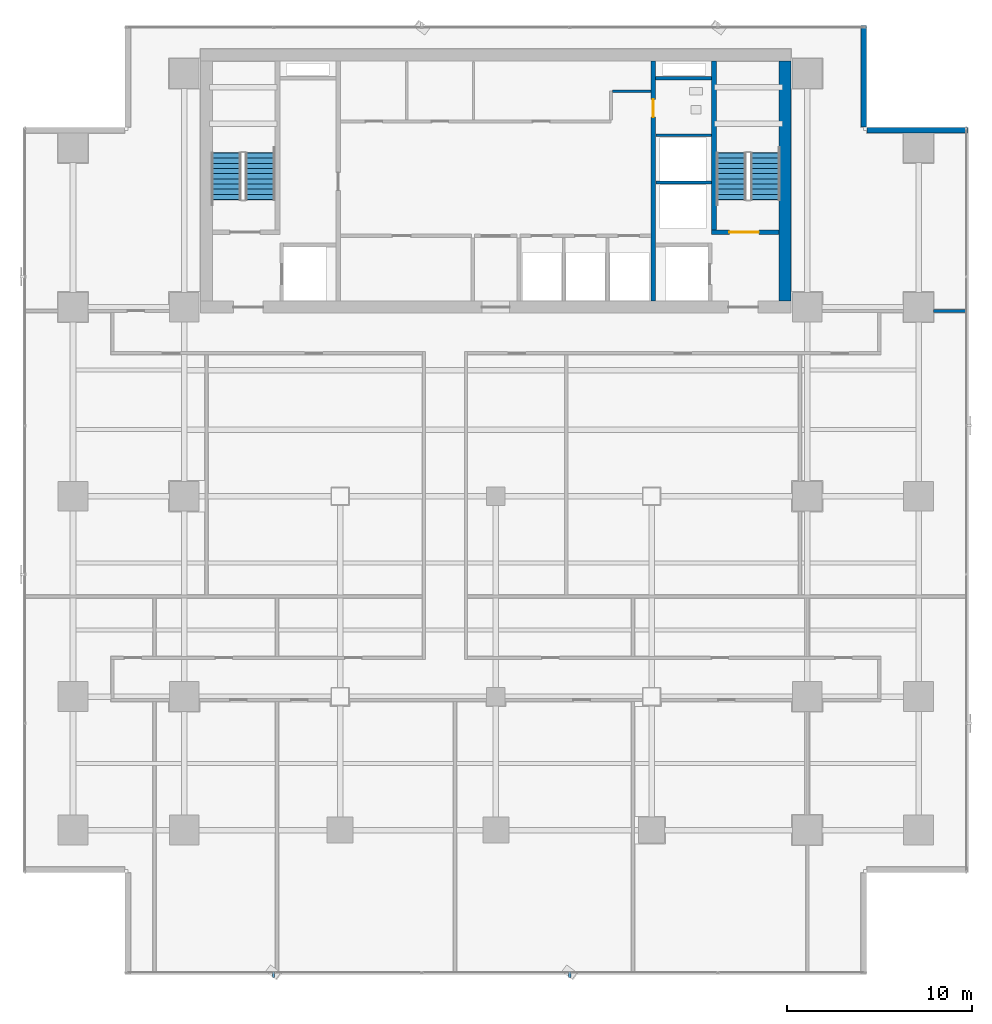
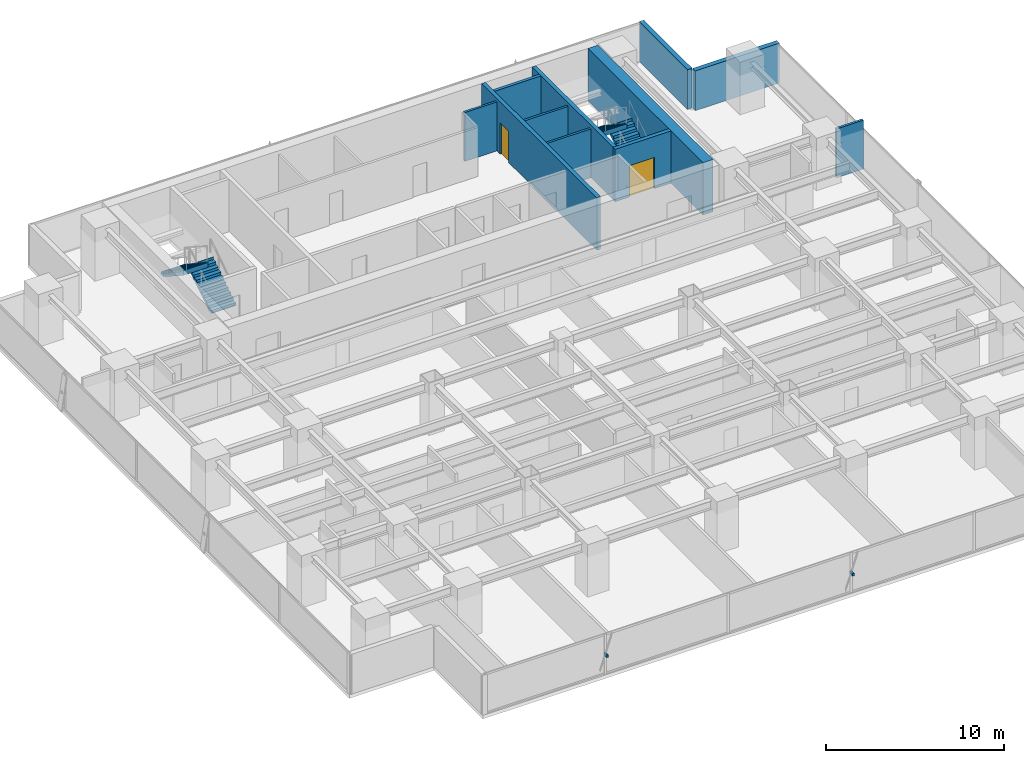
# One storey, part 28 of 34: 11 walls, 4 stair flights, 2 discrete accessories, 2 doors, 2 openings, 2 elements without a shape of their own.
"""IFC4 building model written with IfcOpenShell, lengths in metres."""

from ifc_helpers import new_model, si_unit, direction, frame, frame_2d, origin, origin_2d, place, context, subcontext, project, spatial, polyline, rectangle, outline, extrude, source, transform, mapped, material, layer, layer_set, material_profile, profile_set, type_object, element, fill, aggregate, save


model = new_model("IFC4")

# Units and contexts
model_context = context("Model", 3, precision=1e-05, world=origin(), true_north=direction((0.0, 1.0)))
body_context = subcontext(model_context, "Body", "Model", "MODEL_VIEW")
ifc_project = project(units=[si_unit("LENGTHUNIT", "METRE"), si_unit("AREAUNIT", "SQUARE_METRE"), si_unit("VOLUMEUNIT", "CUBIC_METRE"), si_unit("PLANEANGLEUNIT", "RADIAN"), si_unit("MASSUNIT", "GRAM", prefix="KILO")], contexts=[model_context])

# Site, building, storey
site_placement = place(None, origin())
site = spatial("IfcSite", under=ifc_project, at=site_placement, CompositionType="ELEMENT")
building_placement = place(site_placement, origin())
building = spatial("IfcBuilding", under=site, at=building_placement, Name="Sumidabori Civic Tower", CompositionType="ELEMENT")
storey_placement = place(building_placement, frame((0.0, 0.0, 106.39990234375)))
storey = spatial("IfcBuildingStorey", under=building, at=storey_placement, Name="L27", CompositionType="ELEMENT", Elevation=106.39990234375)

# Walls
ifc_material_1 = material(Name="Concrete C50/60", Category="concrete")
ifc_layer_1 = layer(ifc_material_1, 0.199951171875, Name="Concrete C50/60")
ifc_layer_set_1 = layer_set([ifc_layer_1], Name="Concrete C50/60")
wall_type_1 = type_object("IfcWallType", Name="WL-SHAFT-200", PredefinedType="SHEAR", material=ifc_layer_set_1)
shared_shape_1 = source(origin(), body_context, "Body", "SweptSolid", [
    extrude(rectangle(XDim=3.02001953125, YDim=0.199951171875, at=frame_2d((1.510009765625, 0.0))), origin(), (0.0, 0.0, 1.0), 3.60009765625),
])
wall_1_placement = place(storey_placement, frame((8.625, 22.550048828125, 0.0), z_axis=(0.0, 0.0, 1.0), x_axis=(1.0, 0.0, 0.0)))
element("IfcWall", 1, at=wall_1_placement, inside=storey, type_object=wall_type_1, Name="Core Shear Wall L27 RIS2-S", PredefinedType="SHEAR", context=body_context, shape_type="MappedRepresentation", body=[
    mapped(shared_shape_1, transform((0.0, 0.0, 0.0), x_axis=(1.0, 0.0, 0.0), y_axis=(0.0, 1.0, 0.0), z_axis=(0.0, 0.0, 1.0), scale=1.0)),
])
ifc_material_2 = material(Name="Concrete C60/75", Category="concrete")
ifc_layer_2 = layer(ifc_material_2, 0.64990234375, Name="Concrete C60/75")
ifc_layer_set_2 = layer_set([ifc_layer_2], Name="Concrete C60/75")
wall_type_2 = type_object("IfcWallType", Name="WL-CORE-650", PredefinedType="SHEAR", material=ifc_layer_set_2)
shared_shape_2 = source(origin(), body_context, "Body", "SweptSolid", [
    extrude(rectangle(XDim=12.9501953125, YDim=0.64990234375, at=frame_2d((6.47509765625, 0.0))), origin(), (0.0, 0.0, 1.0), 3.60009765625),
])
wall_2_placement = place(storey_placement, frame((15.60009765625, 10.52490234375, 0.0), z_axis=(0.0, 0.0, 1.0), x_axis=(0.0, 1.0, 0.0)))
element("IfcWall", 2, at=wall_2_placement, inside=storey, type_object=wall_type_2, Name="Core Shear Wall L27 E", PredefinedType="SHEAR", context=body_context, shape_type="MappedRepresentation", body=[
    mapped(shared_shape_2, transform((0.0, 0.0, 0.0), x_axis=(1.0, 0.0, 0.0), y_axis=(0.0, 1.0, 0.0), z_axis=(0.0, 0.0, 1.0), scale=1.0)),
])

# Wall, opening, door
ifc_layer_3 = layer(ifc_material_1, 0.25, Name="Concrete C50/60")
ifc_layer_set_3 = layer_set([ifc_layer_3], Name="Concrete C50/60")
wall_type_3 = type_object("IfcWallType", Name="WL-SHAFT-250", PredefinedType="SHEAR", material=ifc_layer_set_3)
shared_shape_3 = source(origin(), body_context, "Body", "SweptSolid", [
    extrude(rectangle(XDim=12.9501953125, YDim=0.25, at=frame_2d((6.47509765625, 0.0))), origin(), (0.0, 0.0, 1.0), 3.60009765625),
])
wall_3_placement = place(storey_placement, frame((8.5, 10.52490234375, 0.0), z_axis=(0.0, 0.0, 1.0), x_axis=(0.0, 1.0, 0.0)))
wall_3 = element("IfcWall", 3, at=wall_3_placement, inside=storey, type_object=wall_type_3, Name="Core Shear Wall L27 WEB-E", PredefinedType="SHEAR", context=body_context, shape_type="MappedRepresentation", body=[
    mapped(shared_shape_3, transform((0.0, 0.0, 0.0), x_axis=(1.0, 0.0, 0.0), y_axis=(0.0, 1.0, 0.0), z_axis=(0.0, 0.0, 1.0), scale=1.0)),
])
opening_1_placement = place(wall_3_placement, frame((9.925048828125, 0.0, 0.0)))
opening_1 = element("IfcOpeningElement", 4, at=opening_1_placement, cuts=wall_3, Name="Opening DR-2", PredefinedType="OPENING", context=body_context, shape_type="SweptSolid", body=[
    extrude(rectangle(XDim=0.949951171875, YDim=2.14990234375, at=frame_2d((0.47509765625, 1.074951171875))), frame((0.0, 0.136962890625, 0.0), z_axis=(0.0, -1.0, 0.0), x_axis=(1.0, 0.0, 0.0)), (0.0, 0.0, 1.0), 0.27392578125),
])
ifc_material_3 = material(Name="Japanese Hinoki Timber", Category="wood")
door_type_1 = type_object("IfcDoorType", Name="DR-INT-950", OperationType="NOTDEFINED", PredefinedType="DOOR", material=ifc_material_3)
shared_shape_4 = source(origin(), body_context, "Body", "SweptSolid", [
    extrude(rectangle(XDim=0.949951171875, YDim=2.14990234375, at=frame_2d((0.47509765625, 1.074951171875))), frame((0.0, 0.02490234375, 0.0), z_axis=(0.0, -1.0, 0.0), x_axis=(1.0, 0.0, 0.0)), (0.0, 0.0, 1.0), 0.050048828125),
])
door_1_placement = place(opening_1_placement, origin())
door_1 = element("IfcDoor", 5, at=door_1_placement, inside=storey, type_object=door_type_1, Name="Door DR:L27:WC-ACC", OperationType="SINGLE_SWING_RIGHT", OverallHeight=2.14990234375, OverallWidth=0.949951171875, PredefinedType="DOOR", context=body_context, shape_type="MappedRepresentation", body=[
    mapped(shared_shape_4, transform((0.0, 0.0, 0.0), x_axis=(1.0, 0.0, 0.0), y_axis=(0.0, 1.0, 0.0), z_axis=(0.0, 0.0, 1.0), scale=1.0)),
])
fill(opening_1, door_1)

shared_shape_5 = source(origin(), body_context, "Body", "SweptSolid", [
    extrude(rectangle(XDim=3.6298828125, YDim=0.25, at=frame_2d((1.81494140625, 0.0))), origin(), (0.0, 0.0, 1.0), 3.60009765625),
])
wall_4_placement = place(storey_placement, frame((11.64501953125, 14.25, 0.0), z_axis=(0.0, 0.0, 1.0), x_axis=(1.0, 0.0, 0.0)))
wall_4 = element("IfcWall", 6, at=wall_4_placement, inside=storey, type_object=wall_type_3, Name="Core Shear Wall L27 ST2-S", PredefinedType="SHEAR", context=body_context, shape_type="MappedRepresentation", body=[
    mapped(shared_shape_5, transform((0.0, 0.0, 0.0), x_axis=(1.0, 0.0, 0.0), y_axis=(0.0, 1.0, 0.0), z_axis=(0.0, 0.0, 1.0), scale=1.0)),
])
opening_2_placement = place(wall_4_placement, frame((0.949951171875, 0.0, 0.0)))
opening_2 = element("IfcOpeningElement", 7, at=opening_2_placement, cuts=wall_4, Name="Opening DR-FD4", PredefinedType="OPENING", context=body_context, shape_type="SweptSolid", body=[
    extrude(rectangle(XDim=1.60009765625, YDim=2.14990234375, at=frame_2d((0.800048828125, 1.074951171875))), frame((0.0, 0.136962890625, 0.0), z_axis=(0.0, -1.0, 0.0), x_axis=(1.0, 0.0, 0.0)), (0.0, 0.0, 1.0), 0.27392578125),
])
ifc_material_4 = material(Name="Steel SN490", Category="steel")
door_type_2 = type_object("IfcDoorType", Name="DR-FD4", OperationType="DOUBLE_DOOR_SINGLE_SWING", PredefinedType="DOOR", material=ifc_material_4)
shared_shape_6 = source(origin(), body_context, "Body", "SweptSolid", [
    extrude(rectangle(XDim=1.60009765625, YDim=2.14990234375, at=frame_2d((0.800048828125, 1.074951171875))), frame((0.0, 0.02490234375, 0.0), z_axis=(0.0, -1.0, 0.0), x_axis=(1.0, 0.0, 0.0)), (0.0, 0.0, 1.0), 0.050048828125),
])
door_2_placement = place(opening_2_placement, origin())
door_2 = element("IfcDoor", 8, at=door_2_placement, inside=storey, type_object=door_type_2, Name="Door DR:L27:ST2", OperationType="DOUBLE_DOOR_SINGLE_SWING", OverallHeight=2.14990234375, OverallWidth=1.60009765625, PredefinedType="DOOR", context=body_context, shape_type="MappedRepresentation", body=[
    mapped(shared_shape_6, transform((0.0, 0.0, 0.0), x_axis=(1.0, 0.0, 0.0), y_axis=(0.0, 1.0, 0.0), z_axis=(0.0, 0.0, 1.0), scale=1.0)),
])
fill(opening_2, door_2)

# Walls
shared_shape_7 = source(origin(), body_context, "Body", "SweptSolid", [
    extrude(rectangle(XDim=9.10009765625, YDim=0.25, at=frame_2d((4.550048828125, 0.0))), origin(), (0.0, 0.0, 1.0), 3.60009765625),
])
wall_5_placement = place(storey_placement, frame((11.77001953125, 14.375, 0.0), z_axis=(0.0, 0.0, 1.0), x_axis=(0.0, 1.0, 0.0)))
element("IfcWall", 9, at=wall_5_placement, inside=storey, type_object=wall_type_3, Name="Core Shear Wall L27 ST2-W", PredefinedType="SHEAR", context=body_context, shape_type="MappedRepresentation", body=[
    mapped(shared_shape_7, transform((0.0, 0.0, 0.0), x_axis=(1.0, 0.0, 0.0), y_axis=(0.0, 1.0, 0.0), z_axis=(0.0, 0.0, 1.0), scale=1.0)),
])
ifc_material_5 = material(Name="Precast concrete C40/50", Category="concrete")
ifc_layer_4 = layer(ifc_material_5, 0.300048828125, Name="Precast concrete C40/50")
ifc_layer_set_4 = layer_set([ifc_layer_4], Name="Precast concrete C40/50")
wall_type_4 = type_object("IfcWallType", Name="WL-EXT-POD300", PredefinedType="STANDARD", material=ifc_layer_set_4)
shared_shape_8 = source(origin(), body_context, "Body", "SweptSolid", [
    extrude(rectangle(XDim=5.4599609375, YDim=0.300048828125, at=frame_2d((2.72998046875, 0.0))), origin(), (0.0, 0.0, 1.0), 2.739990234375),
])
for number, where, z_axis, x_axis, name in (
    (10, (25.47998046875, 19.75, 0.0), (0.0, 0.0, 1.0), (-1.0, 0.0, 0.0), "Notched Corner Spandrel Band L27-05"),
    (11, (19.85009765625, 19.919921875, 0.0), (0.0, 0.0, 1.0), (0.0, 1.0, 0.0), "Notched Corner Spandrel Band L27-06"),
):
    element("IfcWall", number, at=place(storey_placement, frame(where, z_axis=z_axis, x_axis=x_axis)), inside=storey, type_object=wall_type_4, Name=name, PredefinedType="STANDARD", context=body_context, shape_type="MappedRepresentation", body=[
        mapped(shared_shape_8, transform((0.0, 0.0, 0.0), x_axis=(1.0, 0.0, 0.0), y_axis=(0.0, 1.0, 0.0), z_axis=(0.0, 0.0, 1.0), scale=1.0)),
    ])
ifc_material_6 = material(Name="Gypsum Plasterboard Acoustic Partition")
ifc_layer_5 = layer(ifc_material_6, 0.14990234375, Name="Gypsum Plasterboard Acoustic Partition")
ifc_layer_set_5 = layer_set([ifc_layer_5], Name="Gypsum Plasterboard Acoustic Partition")
wall_type_5 = type_object("IfcWallType", Name="WL-PART-150", PredefinedType="PARTITIONING", material=ifc_layer_set_5)
shared_shape_9 = source(origin(), body_context, "Body", "SweptSolid", [
    extrude(rectangle(XDim=3.010009765625, YDim=0.14990234375, at=frame_2d((1.5048828125, 0.0))), origin(), (0.0, 0.0, 1.0), 3.360107421875),
])
for number, where, z_axis, x_axis, name in (
    (12, (8.6298828125, 16.919921875, 0.0), (0.0, 0.0, 1.0), (1.0, 0.0, 0.0), "Interior Partition WL:L27:DIV-OBS1"),
    (13, (8.6298828125, 19.469970703125, 0.0), (0.0, 0.0, 1.0), (1.0, 0.0, 0.0), "Interior Partition WL:L27:DIV-OBS2"),
):
    element("IfcWall", number, at=place(storey_placement, frame(where, z_axis=z_axis, x_axis=x_axis)), inside=storey, type_object=wall_type_5, Name=name, PredefinedType="PARTITIONING", context=body_context, shape_type="MappedRepresentation", body=[
        mapped(shared_shape_9, transform((0.0, 0.0, 0.0), x_axis=(1.0, 0.0, 0.0), y_axis=(0.0, 1.0, 0.0), z_axis=(0.0, 0.0, 1.0), scale=1.0)),
    ])
shared_shape_10 = source(origin(), body_context, "Body", "SweptSolid", [
    extrude(rectangle(XDim=2.070068359375, YDim=0.14990234375, at=frame_2d((1.03515625, 0.0))), origin(), (0.0, 0.0, 1.0), 3.360107421875),
])
wall_6_placement = place(storey_placement, frame((6.300048828125, 21.85009765625, 0.0), z_axis=(0.0, 0.0, 1.0), x_axis=(1.0, 0.0, 0.0)))
element("IfcWall", 14, at=wall_6_placement, inside=storey, type_object=wall_type_5, Name="Interior Partition WL:L27:CBAND-ME2", PredefinedType="PARTITIONING", context=body_context, shape_type="MappedRepresentation", body=[
    mapped(shared_shape_10, transform((0.0, 0.0, 0.0), x_axis=(1.0, 0.0, 0.0), y_axis=(0.0, 1.0, 0.0), z_axis=(0.0, 0.0, 1.0), scale=1.0)),
])
ifc_layer_6 = layer(ifc_material_6, 0.1650390625, Name="Gypsum Plasterboard Acoustic Partition")
ifc_layer_set_6 = layer_set([ifc_layer_6], Name="Gypsum Plasterboard Acoustic Partition")
wall_type_6 = type_object("IfcWallType", Name="WL-PART-165", PredefinedType="PARTITIONING", material=ifc_layer_set_6)
shared_shape_11 = source(origin(), body_context, "Body", "SweptSolid", [
    extrude(rectangle(XDim=1.739990234375, YDim=0.1650390625, at=frame_2d((0.8701171875, 0.0))), origin(), (0.0, 0.0, 1.0), 3.360107421875),
])
wall_7_placement = place(storey_placement, frame((23.610107421875, 10.0, 0.0), z_axis=(0.0, 0.0, 1.0), x_axis=(1.0, 0.0, 0.0)))
element("IfcWall", 15, at=wall_7_placement, inside=storey, type_object=wall_type_6, Name="Interior Partition WL:L27:FLK-NE-2", PredefinedType="PARTITIONING", context=body_context, shape_type="MappedRepresentation", body=[
    mapped(shared_shape_11, transform((0.0, 0.0, 0.0), x_axis=(1.0, 0.0, 0.0), y_axis=(0.0, 1.0, 0.0), z_axis=(0.0, 0.0, 1.0), scale=1.0)),
])

# Stair, stair flights
ifc_material_7 = material(Name="Concrete C40/50", Category="concrete")
stair_type = type_object("IfcStairType", Name="ST-CORE-1600", PredefinedType="HALF_TURN_STAIR", material=ifc_material_7)
stair_1_placement = place(storey_placement, origin())
stair_1 = element("IfcStair", 16, at=stair_1_placement, inside=storey, type_object=stair_type, Name="L27 ST-1", PredefinedType="HALF_TURN_STAIR")
stair_flight_type = type_object("IfcStairFlightType", Name="SF-CORE-1600", PredefinedType="STRAIGHT", material=ifc_material_7)
shared_shape_12 = source(origin(), body_context, "Body", "SweptSolid", [
    extrude(outline(polyline([(-0.02490234375, 0.0), (-0.02490234375, 0.0400390625), (0.0, 0.0400390625), (0.0, 0.179931640625), (0.280029296875, 0.179931640625), (0.280029296875, 0.360107421875), (0.56005859375, 0.360107421875), (0.56005859375, 0.5400390625), (0.840087890625, 0.5400390625), (0.840087890625, 0.719970703125), (1.1201171875, 0.719970703125), (1.1201171875, 0.89990234375), (1.39990234375, 0.89990234375), (1.39990234375, 1.080078125), (1.679931640625, 1.080078125), (1.679931640625, 1.260009765625), (1.9599609375, 1.260009765625), (1.9599609375, 1.43994140625), (2.239990234375, 1.43994140625), (2.239990234375, 1.6201171875), (2.52001953125, 1.6201171875), (2.52001953125, 1.800048828125), (2.544921875, 1.800048828125), (2.544921875, 1.650146484375), (2.52001953125, 1.44189453125), (0.277099609375, 0.0), (-0.02490234375, 0.0)])), frame((0.0, 0.800048828125, 0.0), z_axis=(0.0, -1.0, 0.0), x_axis=(1.0, 0.0, 0.0)), (0.0, 0.0, 1.0), 1.60009765625),
])
stair_flight_1_placement = place(storey_placement, frame((-12.699951171875, 16.0, 0.0), z_axis=(0.0, 0.0, 1.0), x_axis=(0.0, 1.0, 0.0)))
stair_flight_1 = element("IfcStairFlight", 17, at=stair_flight_1_placement, type_object=stair_flight_type, Name="ST-1 flight 1", NumberOfRisers=10, NumberOfTreads=9, PredefinedType="STRAIGHT", RiserHeight=0.18, TreadLength=0.28, context=body_context, shape_type="MappedRepresentation", body=[
    mapped(shared_shape_12, transform((0.0, 0.0, 0.0), x_axis=(1.0, 0.0, 0.0), y_axis=(0.0, 1.0, 0.0), z_axis=(0.0, 0.0, 1.0), scale=1.0)),
])
stair_flight_2_placement = place(storey_placement, frame((-14.5400390625, 18.52001953125, 1.800048828125), z_axis=(0.0, 0.0, 1.0), x_axis=(0.0, -1.0, 0.0)))
stair_flight_2 = element("IfcStairFlight", 18, at=stair_flight_2_placement, type_object=stair_flight_type, Name="ST-1 flight 2", NumberOfRisers=10, NumberOfTreads=9, PredefinedType="STRAIGHT", RiserHeight=0.18, TreadLength=0.28, context=body_context, shape_type="MappedRepresentation", body=[
    mapped(shared_shape_12, transform((0.0, 0.0, 0.0), x_axis=(1.0, 0.0, 0.0), y_axis=(0.0, 1.0, 0.0), z_axis=(0.0, 0.0, 1.0), scale=1.0)),
])
aggregate(stair_1, [stair_flight_1, stair_flight_2])

stair_2_placement = place(storey_placement, origin())
stair_2 = element("IfcStair", 19, at=stair_2_placement, inside=storey, type_object=stair_type, Name="L27 ST-2", PredefinedType="HALF_TURN_STAIR")
stair_flight_3_placement = place(storey_placement, frame((14.5400390625, 16.0, 0.0), z_axis=(0.0, 0.0, 1.0), x_axis=(0.0, 1.0, 0.0)))
stair_flight_3 = element("IfcStairFlight", 20, at=stair_flight_3_placement, type_object=stair_flight_type, Name="ST-2 flight 1", NumberOfRisers=10, NumberOfTreads=9, PredefinedType="STRAIGHT", RiserHeight=0.18, TreadLength=0.28, context=body_context, shape_type="MappedRepresentation", body=[
    mapped(shared_shape_12, transform((0.0, 0.0, 0.0), x_axis=(1.0, 0.0, 0.0), y_axis=(0.0, 1.0, 0.0), z_axis=(0.0, 0.0, 1.0), scale=1.0)),
])
stair_flight_4_placement = place(storey_placement, frame((12.699951171875, 18.52001953125, 1.800048828125), z_axis=(0.0, 0.0, 1.0), x_axis=(0.0, -1.0, 0.0)))
stair_flight_4 = element("IfcStairFlight", 21, at=stair_flight_4_placement, type_object=stair_flight_type, Name="ST-2 flight 2", NumberOfRisers=10, NumberOfTreads=9, PredefinedType="STRAIGHT", RiserHeight=0.18, TreadLength=0.28, context=body_context, shape_type="MappedRepresentation", body=[
    mapped(shared_shape_12, transform((0.0, 0.0, 0.0), x_axis=(1.0, 0.0, 0.0), y_axis=(0.0, 1.0, 0.0), z_axis=(0.0, 0.0, 1.0), scale=1.0)),
])
aggregate(stair_2, [stair_flight_3, stair_flight_4])

# Discrete accessories
ifc_material_8 = material(Name="Stainless Steel Hairline Finish", Category="steel")
ifc_material_profile = material_profile(ifc_material_8, rectangle(XDim=0.1201171875, YDim=0.179931640625, at=origin_2d()), Name="STEEL BRACKET 180x120")
ifc_profile_set = profile_set([ifc_material_profile], Name="Stainless Steel Hairline Finish")
discrete_accessory_type = type_object("IfcDiscreteAccessoryType", Name="AC-BRK-180", PredefinedType="BRACKET", material=ifc_profile_set)
shared_shape_13 = source(origin(), body_context, "Body", "SweptSolid", [
    extrude(rectangle(XDim=0.1201171875, YDim=0.179931640625, at=origin_2d()), origin(), (0.0, 0.0, 1.0), 0.330078125),
])
for number, where, z_axis, x_axis, name in (
    (22, (-11.98193359375, -25.6298828125, 1.360107421875), (0.0, -1.0, 0.0), (1.0, 0.0, 0.0), "Bronze Fin Fixing Bracket L27-01"),
    (23, (3.993896484375, -25.6298828125, 1.360107421875), (0.0, -1.0, 0.0), (1.0, 0.0, 0.0), "Bronze Fin Fixing Bracket L27-03"),
):
    element("IfcDiscreteAccessory", number, at=place(storey_placement, frame(where, z_axis=z_axis, x_axis=x_axis)), inside=storey, type_object=discrete_accessory_type, Name=name, PredefinedType="BRACKET", context=body_context, shape_type="MappedRepresentation", body=[
        mapped(shared_shape_13, transform((0.0, 0.0, 0.0), x_axis=(1.0, 0.0, 0.0), y_axis=(0.0, 1.0, 0.0), z_axis=(0.0, 0.0, 1.0), scale=1.0)),
    ])

save(model, "model.ifc")
